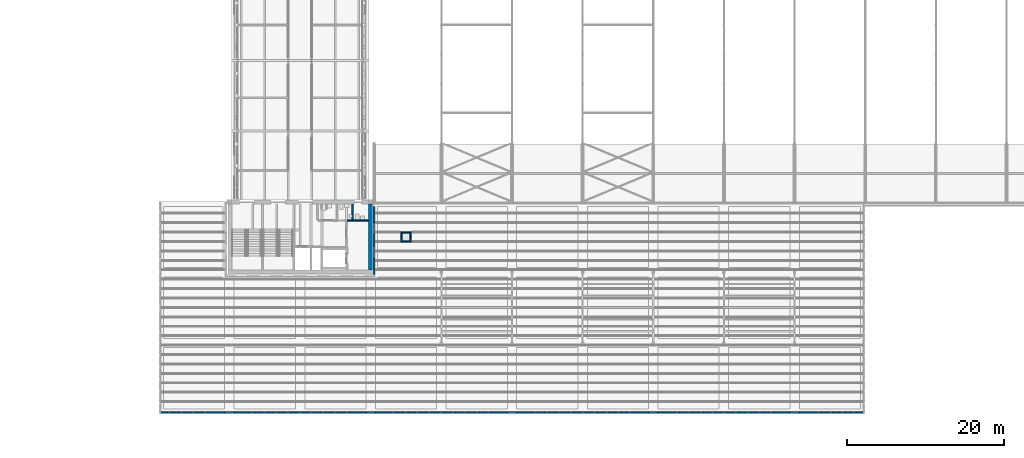
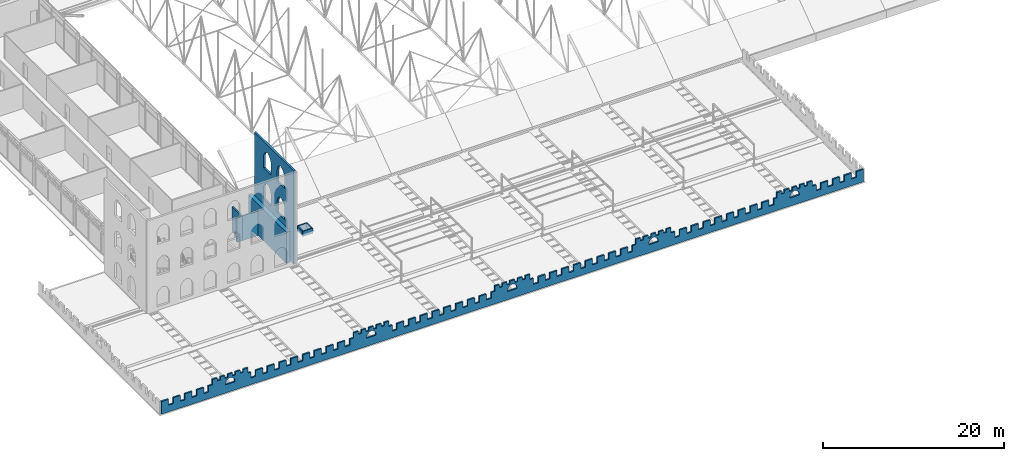
# One storey, part 105 of 153: 10 walls.
"""IFC4 building model written with IfcOpenShell, lengths in metres."""

from ifc_helpers import new_model, si_unit, direction, frame, frame_2d, origin, place, context, subcontext, project, spatial, polyline, rectangle, outline, extrude, material, layer, layer_set, type_object, element, save


model = new_model("IFC4")

# Units and contexts
model_context = context("Model", 3, precision=1e-05, world=origin(), true_north=direction((0.0, 1.0)))
body_context = subcontext(model_context, "Body", "Model", "MODEL_VIEW")
ifc_project = project(units=[si_unit("LENGTHUNIT", "METRE"), si_unit("AREAUNIT", "SQUARE_METRE"), si_unit("VOLUMEUNIT", "CUBIC_METRE"), si_unit("PLANEANGLEUNIT", "RADIAN"), si_unit("MASSUNIT", "GRAM", prefix="KILO")], contexts=[model_context])

# Site, building, storey
site_placement = place(None, origin())
site = spatial("IfcSite", under=ifc_project, at=site_placement, CompositionType="ELEMENT")
building_placement = place(site_placement, origin())
building = spatial("IfcBuilding", under=site, at=building_placement, Name="Baradari Gate Terminus", CompositionType="ELEMENT")
storey_placement = place(building_placement, frame((0.0, 0.0, 11.699951171875)))
storey = spatial("IfcBuildingStorey", under=building, at=storey_placement, Name="L02", CompositionType="ELEMENT", Elevation=11.699951171875)

# Walls
ifc_material_1 = material(Name="Concrete C40/50", Category="concrete")
ifc_layer_1 = layer(ifc_material_1, 0.5)
ifc_layer_set_1 = layer_set([ifc_layer_1], Name="Concrete C40/50")
wall_type_1 = type_object("IfcWallType", Name="Abutment core wall CWL05 500", PredefinedType="SOLIDWALL", material=ifc_layer_set_1)
wall_1_placement = place(storey_placement, frame((89.949951171875, 27.300048828125, 0.0), z_axis=(0.0, 0.0, 1.0), x_axis=(0.0, 1.0, 0.0)))
element("IfcWall", 1, at=wall_1_placement, inside=storey, type_object=wall_type_1, Name="Abutment core wall GS E L02", PredefinedType="SOLIDWALL", context=body_context, shape_type="SweptSolid", body=[
    extrude(rectangle(XDim=8.39990234375, YDim=0.5, at=frame_2d((4.199951171875, 0.0))), origin(), (0.0, 0.0, 1.0), 4.199951171875),
])
ifc_material_2 = material(Name="Laterite masonry", Category="masonry")
ifc_layer_2 = layer(ifc_material_2, 0.25)
ifc_layer_set_2 = layer_set([ifc_layer_2], Name="Laterite masonry")
wall_type_2 = type_object("IfcWallType", Name="Laterite masonry wall WP-1 250", PredefinedType="SOLIDWALL", material=ifc_layer_set_2)
wall_2_placement = place(storey_placement, frame((90.425048828125, 26.699951171875, 0.0), z_axis=(0.0, 0.0, 1.0), x_axis=(0.0, 1.0, 0.0)))
element("IfcWall", 2, at=wall_2_placement, inside=storey, type_object=wall_type_2, Name="Core front course GS east face 1", PredefinedType="SOLIDWALL", context=body_context, shape_type="SweptSolid", body=[
    extrude(outline(polyline([(0.0, 0.0), (8.699951171875, 0.0), (8.699951171875, 12.60009765625), (0.0, 12.60009765625), (0.0, 0.0)]), holes=[polyline([(2.056396484375, 2.215087890625), (2.07568359375, 2.32861328125), (2.10791015625, 2.439453125), (2.152099609375, 2.545654296875), (2.207763671875, 2.646484375), (2.274658203125, 2.740234375), (2.3515625, 2.826171875), (2.4375, 2.90283203125), (2.53173828125, 2.96923828125), (2.632568359375, 3.024658203125), (2.7392578125, 3.068359375), (2.85009765625, 3.10009765625), (2.960693359375, 3.068359375), (3.0673828125, 3.024658203125), (3.168212890625, 2.96923828125), (3.262451171875, 2.90283203125), (3.348388671875, 2.826171875), (3.42529296875, 2.740234375), (3.4921875, 2.646484375), (3.548095703125, 2.545654296875), (3.59228515625, 2.439453125), (3.624267578125, 2.32861328125), (3.6435546875, 2.215087890625), (3.64990234375, 2.10009765625), (3.64990234375, 0.60009765625), (2.050048828125, 0.60009765625), (2.050048828125, 2.10009765625), (2.056396484375, 2.215087890625)]), polyline([(5.07568359375, 2.32861328125), (5.10791015625, 2.439453125), (5.152099609375, 2.545654296875), (5.207763671875, 2.646484375), (5.274658203125, 2.740234375), (5.3515625, 2.826171875), (5.4375, 2.90283203125), (5.53173828125, 2.96923828125), (5.632568359375, 3.024658203125), (5.7392578125, 3.068359375), (5.85009765625, 3.10009765625), (5.960693359375, 3.068359375), (6.0673828125, 3.024658203125), (6.168212890625, 2.96923828125), (6.262451171875, 2.90283203125), (6.348388671875, 2.826171875), (6.42529296875, 2.740234375), (6.4921875, 2.646484375), (6.548095703125, 2.545654296875), (6.59228515625, 2.439453125), (6.624267578125, 2.32861328125), (6.6435546875, 2.215087890625), (6.64990234375, 2.10009765625), (6.64990234375, 0.60009765625), (5.050048828125, 0.60009765625), (5.050048828125, 2.10009765625), (5.056396484375, 2.215087890625), (5.07568359375, 2.32861328125)]), polyline([(2.07568359375, 6.528564453125), (2.10791015625, 6.639404296875), (2.152099609375, 6.745849609375), (2.207763671875, 6.846435546875), (2.274658203125, 6.9404296875), (2.3515625, 7.026123046875), (2.4375, 7.102783203125), (2.53173828125, 7.169189453125), (2.632568359375, 7.224609375), (2.7392578125, 7.2685546875), (2.85009765625, 7.300048828125), (2.960693359375, 7.2685546875), (3.0673828125, 7.224609375), (3.168212890625, 7.169189453125), (3.262451171875, 7.102783203125), (3.348388671875, 7.026123046875), (3.42529296875, 6.9404296875), (3.4921875, 6.846435546875), (3.548095703125, 6.745849609375), (3.59228515625, 6.639404296875), (3.624267578125, 6.528564453125), (3.6435546875, 6.4150390625), (3.64990234375, 6.300048828125), (3.64990234375, 4.800048828125), (2.050048828125, 4.800048828125), (2.050048828125, 6.300048828125), (2.056396484375, 6.4150390625), (2.07568359375, 6.528564453125)]), polyline([(5.056396484375, 6.4150390625), (5.07568359375, 6.528564453125), (5.10791015625, 6.639404296875), (5.152099609375, 6.745849609375), (5.207763671875, 6.846435546875), (5.274658203125, 6.9404296875), (5.3515625, 7.026123046875), (5.4375, 7.102783203125), (5.53173828125, 7.169189453125), (5.632568359375, 7.224609375), (5.7392578125, 7.2685546875), (5.85009765625, 7.300048828125), (5.960693359375, 7.2685546875), (6.0673828125, 7.224609375), (6.168212890625, 7.169189453125), (6.262451171875, 7.102783203125), (6.348388671875, 7.026123046875), (6.42529296875, 6.9404296875), (6.4921875, 6.846435546875), (6.548095703125, 6.745849609375), (6.59228515625, 6.639404296875), (6.624267578125, 6.528564453125), (6.6435546875, 6.4150390625), (6.64990234375, 6.300048828125), (6.64990234375, 4.800048828125), (5.050048828125, 4.800048828125), (5.050048828125, 6.300048828125), (5.056396484375, 6.4150390625)]), polyline([(2.07568359375, 10.728759765625), (2.10791015625, 10.83935546875), (2.152099609375, 10.94580078125), (2.207763671875, 11.04638671875), (2.274658203125, 11.140380859375), (2.3515625, 11.22607421875), (2.4375, 11.302734375), (2.53173828125, 11.369140625), (2.632568359375, 11.424560546875), (2.7392578125, 11.468505859375), (2.85009765625, 11.5), (2.960693359375, 11.468505859375), (3.0673828125, 11.424560546875), (3.168212890625, 11.369140625), (3.262451171875, 11.302734375), (3.348388671875, 11.22607421875), (3.42529296875, 11.140380859375), (3.4921875, 11.04638671875), (3.548095703125, 10.94580078125), (3.59228515625, 10.83935546875), (3.624267578125, 10.728759765625), (3.6435546875, 10.614990234375), (3.64990234375, 10.5), (3.64990234375, 9.0), (2.050048828125, 9.0), (2.050048828125, 10.5), (2.056396484375, 10.614990234375), (2.07568359375, 10.728759765625)]), polyline([(5.07568359375, 10.728759765625), (5.10791015625, 10.83935546875), (5.152099609375, 10.94580078125), (5.207763671875, 11.04638671875), (5.274658203125, 11.140380859375), (5.3515625, 11.22607421875), (5.4375, 11.302734375), (5.53173828125, 11.369140625), (5.632568359375, 11.424560546875), (5.7392578125, 11.468505859375), (5.85009765625, 11.5), (5.960693359375, 11.468505859375), (6.0673828125, 11.424560546875), (6.168212890625, 11.369140625), (6.262451171875, 11.302734375), (6.348388671875, 11.22607421875), (6.42529296875, 11.140380859375), (6.4921875, 11.04638671875), (6.548095703125, 10.94580078125), (6.59228515625, 10.83935546875), (6.624267578125, 10.728759765625), (6.6435546875, 10.614990234375), (6.64990234375, 10.5), (6.64990234375, 9.0), (5.050048828125, 9.0), (5.050048828125, 10.5), (5.056396484375, 10.614990234375), (5.07568359375, 10.728759765625)])]), frame((0.0, 0.125, 0.0), z_axis=(0.0, -1.0, 0.0), x_axis=(1.0, 0.0, 0.0)), (0.0, 0.0, 1.0), 0.25),
])
ifc_material_3 = material(Name="Concrete C32/40 precast", Category="concrete")
ifc_layer_3 = layer(ifc_material_3, 0.199951171875)
ifc_layer_set_3 = layer_set([ifc_layer_3], Name="Concrete C32/40 precast")
wall_type_3 = type_object("IfcWallType", Name="Parapet PW-6 200x2400 wing crown", PredefinedType="PARAPET", material=ifc_layer_set_3)
wall_3_placement = place(storey_placement, frame((63.22509765625, 9.125, 0.0), z_axis=(0.0, 0.0, 1.0), x_axis=(1.0, 0.0, 0.0)))
element("IfcWall", 3, at=wall_3_placement, inside=storey, type_object=wall_type_3, Name="South wing roof parapet PR-S1 1 1", PredefinedType="PARAPET", context=body_context, shape_type="SweptSolid", body=[
    extrude(outline(polyline([(28.425048828125, 2.400146484375), (28.425048828125, 2.0), (28.050048828125, 2.0), (28.050048828125, 2.400146484375), (27.449951171875, 2.400146484375), (27.449951171875, 2.0), (27.074951171875, 2.0), (27.074951171875, 2.400146484375), (26.47509765625, 2.400146484375), (26.47509765625, 2.0), (26.10009765625, 2.0), (26.10009765625, 2.400146484375), (25.5, 2.400146484375), (25.5, 2.0), (25.125, 2.0), (25.125, 2.400146484375), (24.52490234375, 2.400146484375), (24.52490234375, 1.699951171875), (24.040771484375, 1.699951171875), (24.040771484375, 0.900146484375), (23.43798828125, 0.900146484375), (23.43798828125, 1.699951171875), (22.5380859375, 1.699951171875), (22.5380859375, 0.900146484375), (21.935546875, 0.900146484375), (21.935546875, 1.699951171875), (21.03564453125, 1.699951171875), (21.03564453125, 0.900146484375), (20.43310546875, 0.900146484375), (20.43310546875, 1.699951171875), (19.533203125, 1.699951171875), (19.533203125, 0.900146484375), (18.930419921875, 0.900146484375), (18.930419921875, 1.699951171875), (18.030517578125, 1.699951171875), (18.030517578125, 0.900146484375), (17.427978515625, 0.900146484375), (17.427978515625, 1.699951171875), (16.528076171875, 1.699951171875), (16.528076171875, 0.900146484375), (15.92529296875, 0.900146484375), (15.92529296875, 1.699951171875), (15.025390625, 1.699951171875), (15.025390625, 0.900146484375), (14.4228515625, 0.900146484375), (14.4228515625, 1.699951171875), (13.52294921875, 1.699951171875), (13.52294921875, 0.900146484375), (12.92041015625, 0.900146484375), (12.92041015625, 1.699951171875), (12.020263671875, 1.699951171875), (12.020263671875, 0.900146484375), (11.417724609375, 0.900146484375), (11.417724609375, 1.699951171875), (11.02490234375, 1.699951171875), (11.02490234375, 2.400146484375), (10.425048828125, 2.400146484375), (10.425048828125, 2.0), (10.050048828125, 2.0), (10.050048828125, 2.400146484375), (9.449951171875, 2.400146484375), (9.449951171875, 2.0), (9.074951171875, 2.0), (9.074951171875, 2.400146484375), (8.47509765625, 2.400146484375), (8.47509765625, 2.0), (8.10009765625, 2.0), (8.10009765625, 2.400146484375), (7.5, 2.400146484375), (7.5, 2.0), (7.125, 2.0), (7.125, 2.400146484375), (6.52490234375, 2.400146484375), (6.52490234375, 1.699951171875), (6.01025390625, 1.699951171875), (6.01025390625, 0.900146484375), (5.40771484375, 0.900146484375), (5.40771484375, 1.699951171875), (4.507568359375, 1.699951171875), (4.507568359375, 0.900146484375), (3.905029296875, 0.900146484375), (3.905029296875, 1.699951171875), (3.005126953125, 1.699951171875), (3.005126953125, 0.900146484375), (2.402587890625, 0.900146484375), (2.402587890625, 1.699951171875), (1.50244140625, 1.699951171875), (1.50244140625, 0.900146484375), (0.89990234375, 0.900146484375), (0.89990234375, 1.699951171875), (0.0, 1.699951171875), (0.0, 0.0), (89.550048828125, 0.0), (89.550048828125, 1.699951171875), (88.64990234375, 1.699951171875), (88.64990234375, 0.900146484375), (88.047607421875, 0.900146484375), (88.047607421875, 1.699951171875), (87.1474609375, 1.699951171875), (87.1474609375, 0.900146484375), (86.544921875, 0.900146484375), (86.544921875, 1.699951171875), (85.64501953125, 1.699951171875), (85.64501953125, 0.900146484375), (85.04248046875, 0.900146484375), (85.04248046875, 1.699951171875), (84.142333984375, 1.699951171875), (84.142333984375, 0.900146484375), (83.539794921875, 0.900146484375), (83.539794921875, 1.699951171875), (83.02490234375, 1.699951171875), (83.02490234375, 2.400146484375), (82.425048828125, 2.400146484375), (82.425048828125, 2.0), (82.050048828125, 2.0), (82.050048828125, 2.400146484375), (81.449951171875, 2.400146484375), (81.449951171875, 2.0), (81.074951171875, 2.0), (81.074951171875, 2.400146484375), (80.47509765625, 2.400146484375), (80.47509765625, 2.0), (80.10009765625, 2.0), (80.10009765625, 2.400146484375), (79.5, 2.400146484375), (79.5, 2.0), (79.125, 2.0), (79.125, 2.400146484375), (78.52490234375, 2.400146484375), (78.52490234375, 1.699951171875), (78.132080078125, 1.699951171875), (78.132080078125, 0.900146484375), (77.52978515625, 0.900146484375), (77.52978515625, 1.699951171875), (76.629638671875, 1.699951171875), (76.629638671875, 0.900146484375), (76.027099609375, 0.900146484375), (76.027099609375, 1.699951171875), (75.127197265625, 1.699951171875), (75.127197265625, 0.900146484375), (74.524658203125, 0.900146484375), (74.524658203125, 1.699951171875), (73.62451171875, 1.699951171875), (73.62451171875, 0.900146484375), (73.02197265625, 0.900146484375), (73.02197265625, 1.699951171875), (72.1220703125, 1.699951171875), (72.1220703125, 0.900146484375), (71.51953125, 0.900146484375), (71.51953125, 1.699951171875), (70.619384765625, 1.699951171875), (70.619384765625, 0.900146484375), (70.016845703125, 0.900146484375), (70.016845703125, 1.699951171875), (69.116943359375, 1.699951171875), (69.116943359375, 0.900146484375), (68.514404296875, 0.900146484375), (68.514404296875, 1.699951171875), (67.614501953125, 1.699951171875), (67.614501953125, 0.900146484375), (67.011962890625, 0.900146484375), (67.011962890625, 1.699951171875), (66.11181640625, 1.699951171875), (66.11181640625, 0.900146484375), (65.50927734375, 0.900146484375), (65.50927734375, 1.699951171875), (65.02490234375, 1.699951171875), (65.02490234375, 2.400146484375), (64.425048828125, 2.400146484375), (64.425048828125, 2.0), (64.050048828125, 2.0), (64.050048828125, 2.400146484375), (63.449951171875, 2.400146484375), (63.449951171875, 2.0), (63.074951171875, 2.0), (63.074951171875, 2.400146484375), (62.47509765625, 2.400146484375), (62.47509765625, 2.0), (62.10009765625, 2.0), (62.10009765625, 2.400146484375), (61.5, 2.400146484375), (61.5, 2.0), (61.125, 2.0), (61.125, 2.400146484375), (60.52490234375, 2.400146484375), (60.52490234375, 1.699951171875), (60.101806640625, 1.699951171875), (60.101806640625, 0.900146484375), (59.499267578125, 0.900146484375), (59.499267578125, 1.699951171875), (58.59912109375, 1.699951171875), (58.59912109375, 0.900146484375), (57.99658203125, 0.900146484375), (57.99658203125, 1.699951171875), (57.0966796875, 1.699951171875), (57.0966796875, 0.900146484375), (56.494140625, 0.900146484375), (56.494140625, 1.699951171875), (55.593994140625, 1.699951171875), (55.593994140625, 0.900146484375), (54.991455078125, 0.900146484375), (54.991455078125, 1.699951171875), (54.091552734375, 1.699951171875), (54.091552734375, 0.900146484375), (53.489013671875, 0.900146484375), (53.489013671875, 1.699951171875), (52.589111328125, 1.699951171875), (52.589111328125, 0.900146484375), (51.986328125, 0.900146484375), (51.986328125, 1.699951171875), (51.08642578125, 1.699951171875), (51.08642578125, 0.900146484375), (50.48388671875, 0.900146484375), (50.48388671875, 1.699951171875), (49.583984375, 1.699951171875), (49.583984375, 0.900146484375), (48.9814453125, 0.900146484375), (48.9814453125, 1.699951171875), (48.081298828125, 1.699951171875), (48.081298828125, 0.900146484375), (47.478759765625, 0.900146484375), (47.478759765625, 1.699951171875), (47.02490234375, 1.699951171875), (47.02490234375, 2.400146484375), (46.425048828125, 2.400146484375), (46.425048828125, 2.0), (46.050048828125, 2.0), (46.050048828125, 2.400146484375), (45.449951171875, 2.400146484375), (45.449951171875, 2.0), (45.074951171875, 2.0), (45.074951171875, 2.400146484375), (44.47509765625, 2.400146484375), (44.47509765625, 2.0), (44.10009765625, 2.0), (44.10009765625, 2.400146484375), (43.5, 2.400146484375), (43.5, 2.0), (43.125, 2.0), (43.125, 2.400146484375), (42.52490234375, 2.400146484375), (42.52490234375, 1.699951171875), (42.0712890625, 1.699951171875), (42.0712890625, 0.900146484375), (41.468505859375, 0.900146484375), (41.468505859375, 1.699951171875), (40.568603515625, 1.699951171875), (40.568603515625, 0.900146484375), (39.966064453125, 0.900146484375), (39.966064453125, 1.699951171875), (39.066162109375, 1.699951171875), (39.066162109375, 0.900146484375), (38.463623046875, 0.900146484375), (38.463623046875, 1.699951171875), (37.563720703125, 1.699951171875), (37.563720703125, 0.900146484375), (36.9609375, 0.900146484375), (36.9609375, 1.699951171875), (36.06103515625, 1.699951171875), (36.06103515625, 0.900146484375), (35.45849609375, 0.900146484375), (35.45849609375, 1.699951171875), (34.55859375, 1.699951171875), (34.55859375, 0.900146484375), (33.955810546875, 0.900146484375), (33.955810546875, 1.699951171875), (33.055908203125, 1.699951171875), (33.055908203125, 0.900146484375), (32.453369140625, 0.900146484375), (32.453369140625, 1.699951171875), (31.553466796875, 1.699951171875), (31.553466796875, 0.900146484375), (30.95068359375, 0.900146484375), (30.95068359375, 1.699951171875), (30.05078125, 1.699951171875), (30.05078125, 0.900146484375), (29.4482421875, 0.900146484375), (29.4482421875, 1.699951171875), (29.02490234375, 1.699951171875), (29.02490234375, 2.400146484375), (28.425048828125, 2.400146484375)]), holes=[polyline([(8.179931640625, 1.283447265625), (8.194580078125, 1.365966796875), (8.218994140625, 1.44580078125), (8.252685546875, 1.5224609375), (8.294921875, 1.594482421875), (8.345458984375, 1.6611328125), (8.403564453125, 1.72119140625), (8.46826171875, 1.774169921875), (8.538818359375, 1.81884765625), (8.6142578125, 1.855224609375), (8.693359375, 1.882568359375), (8.77490234375, 1.900146484375), (8.856689453125, 1.882568359375), (8.935791015625, 1.855224609375), (9.010986328125, 1.81884765625), (9.081787109375, 1.774169921875), (9.146484375, 1.72119140625), (9.20458984375, 1.6611328125), (9.2548828125, 1.594482421875), (9.29736328125, 1.5224609375), (9.3310546875, 1.44580078125), (9.355224609375, 1.365966796875), (9.3701171875, 1.283447265625), (9.375, 1.199951171875), (9.375, 1.10009765625), (8.175048828125, 1.10009765625), (8.175048828125, 1.199951171875), (8.179931640625, 1.283447265625)]), polyline([(26.179931640625, 1.283447265625), (26.194580078125, 1.365966796875), (26.218994140625, 1.44580078125), (26.252685546875, 1.5224609375), (26.294921875, 1.594482421875), (26.345458984375, 1.6611328125), (26.403564453125, 1.72119140625), (26.46826171875, 1.774169921875), (26.538818359375, 1.81884765625), (26.6142578125, 1.855224609375), (26.693359375, 1.882568359375), (26.77490234375, 1.900146484375), (26.856689453125, 1.882568359375), (26.935791015625, 1.855224609375), (27.010986328125, 1.81884765625), (27.081787109375, 1.774169921875), (27.146484375, 1.72119140625), (27.20458984375, 1.6611328125), (27.2548828125, 1.594482421875), (27.29736328125, 1.5224609375), (27.3310546875, 1.44580078125), (27.355224609375, 1.365966796875), (27.3701171875, 1.283447265625), (27.375, 1.199951171875), (27.375, 1.10009765625), (26.175048828125, 1.10009765625), (26.175048828125, 1.199951171875), (26.179931640625, 1.283447265625)]), polyline([(44.179931640625, 1.283447265625), (44.194580078125, 1.365966796875), (44.218994140625, 1.44580078125), (44.252685546875, 1.5224609375), (44.294921875, 1.594482421875), (44.345458984375, 1.6611328125), (44.403564453125, 1.72119140625), (44.46826171875, 1.774169921875), (44.538818359375, 1.81884765625), (44.6142578125, 1.855224609375), (44.693359375, 1.882568359375), (44.77490234375, 1.900146484375), (44.856689453125, 1.882568359375), (44.935791015625, 1.855224609375), (45.010986328125, 1.81884765625), (45.081787109375, 1.774169921875), (45.146484375, 1.72119140625), (45.20458984375, 1.6611328125), (45.2548828125, 1.594482421875), (45.29736328125, 1.5224609375), (45.3310546875, 1.44580078125), (45.355224609375, 1.365966796875), (45.3701171875, 1.283447265625), (45.375, 1.199951171875), (45.375, 1.10009765625), (44.175048828125, 1.10009765625), (44.175048828125, 1.199951171875), (44.179931640625, 1.283447265625)]), polyline([(62.194580078125, 1.365966796875), (62.218994140625, 1.44580078125), (62.252685546875, 1.5224609375), (62.294921875, 1.594482421875), (62.345458984375, 1.6611328125), (62.403564453125, 1.72119140625), (62.46826171875, 1.774169921875), (62.538818359375, 1.81884765625), (62.6142578125, 1.855224609375), (62.693359375, 1.882568359375), (62.77490234375, 1.900146484375), (62.856689453125, 1.882568359375), (62.935791015625, 1.855224609375), (63.010986328125, 1.81884765625), (63.081787109375, 1.774169921875), (63.146484375, 1.72119140625), (63.20458984375, 1.6611328125), (63.2548828125, 1.594482421875), (63.29736328125, 1.5224609375), (63.3310546875, 1.44580078125), (63.355224609375, 1.365966796875), (63.3701171875, 1.283447265625), (63.375, 1.199951171875), (63.375, 1.10009765625), (62.175048828125, 1.10009765625), (62.175048828125, 1.199951171875), (62.179931640625, 1.283447265625), (62.194580078125, 1.365966796875)]), polyline([(80.194580078125, 1.365966796875), (80.218994140625, 1.44580078125), (80.252685546875, 1.5224609375), (80.294921875, 1.594482421875), (80.345458984375, 1.6611328125), (80.403564453125, 1.72119140625), (80.46826171875, 1.774169921875), (80.538818359375, 1.81884765625), (80.6142578125, 1.855224609375), (80.693359375, 1.882568359375), (80.77490234375, 1.900146484375), (80.856689453125, 1.882568359375), (80.935791015625, 1.855224609375), (81.010986328125, 1.81884765625), (81.081787109375, 1.774169921875), (81.146484375, 1.72119140625), (81.20458984375, 1.6611328125), (81.2548828125, 1.594482421875), (81.29736328125, 1.5224609375), (81.3310546875, 1.44580078125), (81.355224609375, 1.365966796875), (81.3701171875, 1.283447265625), (81.375, 1.199951171875), (81.375, 1.10009765625), (80.175048828125, 1.10009765625), (80.175048828125, 1.199951171875), (80.179931640625, 1.283447265625), (80.194580078125, 1.365966796875)])]), frame((0.0, 0.10009765625, 0.0), z_axis=(0.0, -1.0, 0.0), x_axis=(1.0, 0.0, 0.0)), (0.0, 0.0, 1.0), 0.199951171875),
])
ifc_material_4 = material(Name="Concrete C25/30", Category="concrete")
ifc_layer_4 = layer(ifc_material_4, 0.14990234375)
ifc_layer_set_4 = layer_set([ifc_layer_4], Name="Concrete C25/30")
wall_type_4 = type_object("IfcWallType", Name="Roof hatch kerb HK-1 150", PredefinedType="PARAPET", material=ifc_layer_set_4)
wall_4_placement = place(storey_placement, frame((93.85009765625, 30.925048828125, 0.0), z_axis=(0.0, 0.0, 1.0), x_axis=(1.0, 0.0, 0.0)))
element("IfcWall", 4, at=wall_4_placement, inside=storey, type_object=wall_type_4, Name="Roof hatch kerb wall RH3", PredefinedType="PARAPET", context=body_context, shape_type="SweptSolid", body=[
    extrude(rectangle(XDim=1.2998046875, YDim=0.14990234375, at=frame_2d((0.64990234375, 0.0))), origin(), (0.0, 0.0, 1.0), 0.699951171875),
])
wall_5_placement = place(storey_placement, frame((95.074951171875, 31.0, 0.0), z_axis=(0.0, 0.0, 1.0), x_axis=(0.0, 1.0, 0.0)))
element("IfcWall", 5, at=wall_5_placement, inside=storey, type_object=wall_type_4, Name="Roof hatch kerb wall RH3", PredefinedType="PARAPET", context=body_context, shape_type="SweptSolid", body=[
    extrude(rectangle(XDim=1.0, YDim=0.14990234375, at=frame_2d((0.5, 0.0))), origin(), (0.0, 0.0, 1.0), 0.699951171875),
])
wall_6_placement = place(storey_placement, frame((95.14990234375, 32.074951171875, 0.0), z_axis=(0.0, 0.0, 1.0), x_axis=(-1.0, 0.0, 0.0)))
element("IfcWall", 6, at=wall_6_placement, inside=storey, type_object=wall_type_4, Name="Roof hatch kerb wall RH3", PredefinedType="PARAPET", context=body_context, shape_type="SweptSolid", body=[
    extrude(rectangle(XDim=1.2998046875, YDim=0.14990234375, at=frame_2d((0.64990234375, 0.0))), origin(), (0.0, 0.0, 1.0), 0.699951171875),
])
wall_7_placement = place(storey_placement, frame((93.925048828125, 32.0, 0.0), z_axis=(0.0, 0.0, 1.0), x_axis=(0.0, -1.0, 0.0)))
element("IfcWall", 7, at=wall_7_placement, inside=storey, type_object=wall_type_4, Name="Roof hatch kerb wall RH3", PredefinedType="PARAPET", context=body_context, shape_type="SweptSolid", body=[
    extrude(rectangle(XDim=1.0, YDim=0.14990234375, at=frame_2d((0.5, 0.0))), origin(), (0.0, 0.0, 1.0), 0.699951171875),
])
ifc_material_5 = material(Name="Blockwork wall, tiled both faces", Category="masonry")
ifc_layer_5 = layer(ifc_material_5, 0.175048828125)
ifc_layer_set_5 = layer_set([ifc_layer_5], Name="Blockwork wall, tiled both faces")
wall_type_5 = type_object("IfcWallType", Name="WC wet wall PT-6 175 EI 60", PredefinedType="PARTITIONING", material=ifc_layer_set_5)
wall_8_placement = place(storey_placement, frame((87.0, 33.60009765625, 0.0), z_axis=(0.0, 0.0, 1.0), x_axis=(1.0, 0.0, 0.0)))
element("IfcWall", 8, at=wall_8_placement, inside=storey, type_object=wall_type_5, Name="PT-6 partition Lift Lobby (Fire-fighting) / Male WC", PredefinedType="PARTITIONING", context=body_context, shape_type="SweptSolid", body=[
    extrude(rectangle(XDim=0.699951171875, YDim=0.175048828125, at=frame_2d((0.35009765625, 0.0))), origin(), (0.0, 0.0, 1.0), 3.30712890625),
])
for number, where, z_axis, x_axis, name in (
    (9, (87.699951171875, 33.60009765625, 0.0), (0.0, 0.0, 1.0), (1.0, 0.0, 0.0), "PT-6 partition Lift Lobby (Fire-fighting) / Female WC"),
    (10, (87.699951171875, 35.697998046875, 0.0), (0.0, 0.0, 1.0), (0.0, -1.0, 0.0), "PT-6 partition Male WC / Female WC"),
):
    element("IfcWall", number, at=place(storey_placement, frame(where, z_axis=z_axis, x_axis=x_axis)), inside=storey, type_object=wall_type_5, Name=name, PredefinedType="PARTITIONING", context=body_context, shape_type="SweptSolid", body=[
        extrude(rectangle(XDim=1.998046875, YDim=0.175048828125, at=frame_2d((0.9990234375, 0.0))), origin(), (0.0, 0.0, 1.0), 3.30712890625),
    ])

save(model, "model.ifc")
